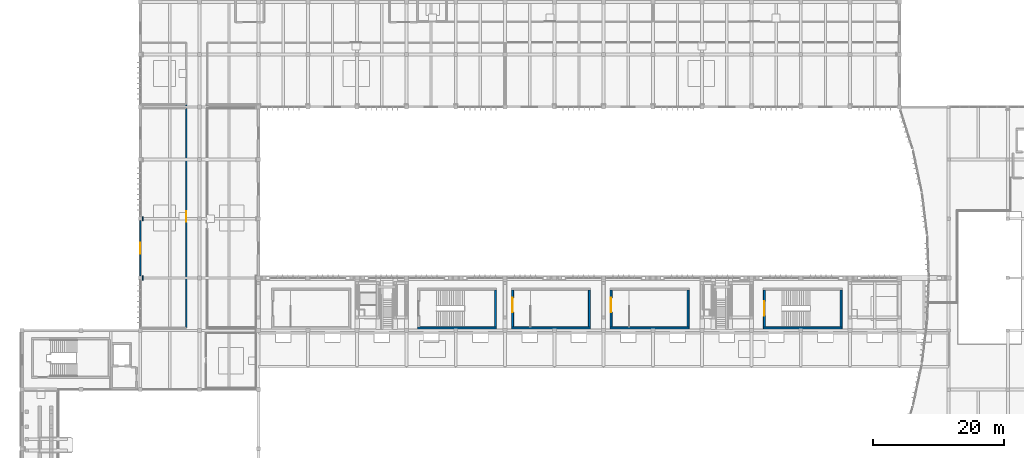
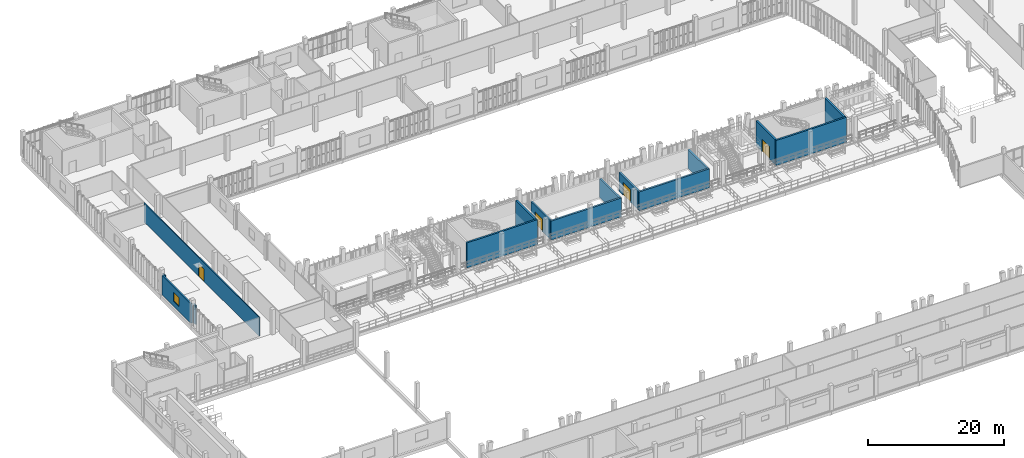
# One storey, part 54 of 81: 15 walls, 4 doors, 1 window, 5 openings.
"""IFC4 building model written with IfcOpenShell, lengths in metres."""

from ifc_helpers import new_model, si_unit, direction, frame, frame_2d, origin, place, context, subcontext, project, spatial, rectangle, extrude, material, layer, layer_set, type_object, element, fill, save


model = new_model("IFC4")

# Units and contexts
model_context = context("Model", 3, precision=1e-05, world=origin(), true_north=direction((0.0, 1.0)))
body_context = subcontext(model_context, "Body", "Model", "MODEL_VIEW")
ifc_project = project(units=[si_unit("LENGTHUNIT", "METRE"), si_unit("AREAUNIT", "SQUARE_METRE"), si_unit("VOLUMEUNIT", "CUBIC_METRE"), si_unit("PLANEANGLEUNIT", "RADIAN"), si_unit("MASSUNIT", "GRAM", prefix="KILO")], contexts=[model_context])

# Site, building, storey
site_placement = place(None, origin())
site = spatial("IfcSite", under=ifc_project, at=site_placement, CompositionType="ELEMENT")
building_placement = place(site_placement, origin())
building = spatial("IfcBuilding", under=site, at=building_placement, Name="Vourika Railside Aquatics Centre", CompositionType="ELEMENT")
storey_placement = place(building_placement, frame((0.0, 0.0, 4.800048828125)))
storey = spatial("IfcBuildingStorey", under=building, at=storey_placement, Name="L01", CompositionType="ELEMENT", Elevation=4.800048828125)

# Walls
ifc_material_1 = material(Name="Concrete C40/50", Category="concrete")
ifc_layer_1 = layer(ifc_material_1, 0.300048828125, Name="WL-CORE")
ifc_layer_set_1 = layer_set([ifc_layer_1], Name="Concrete C40/50")
wall_type_1 = type_object("IfcWallType", Name="WL-CORE", PredefinedType="SHEAR", material=ifc_layer_set_1)
wall_1_placement = place(storey_placement, frame((60.199951171875, 58.39990234375, 0.0), z_axis=(0.0, 0.0, 1.0), x_axis=(1.0, 0.0, 0.0)))
element("IfcWall", 1, at=wall_1_placement, inside=storey, type_object=wall_type_1, Name="Grandstand Vomitory Exit Stair ST08 South Wall (L01)", PredefinedType="SHEAR", context=body_context, shape_type="SweptSolid", body=[
    extrude(rectangle(XDim=12.0, YDim=0.300048828125, at=frame_2d((6.0, 0.0))), origin(), (0.0, 0.0, 1.0), 4.5),
])
wall_2_placement = place(storey_placement, frame((72.050048828125, 58.550048828125, 0.0), z_axis=(0.0, 0.0, 1.0), x_axis=(0.0, 1.0, 0.0)))
element("IfcWall", 2, at=wall_2_placement, inside=storey, type_object=wall_type_1, Name="Grandstand Vomitory Exit Stair ST08 East Wall (L01)", PredefinedType="SHEAR", context=body_context, shape_type="SweptSolid", body=[
    extrude(rectangle(XDim=5.599853515625, YDim=0.300048828125, at=frame_2d((2.7998046875, 0.0))), origin(), (0.0, 0.0, 1.0), 4.5),
])
wall_3_placement = place(storey_placement, frame((89.5, 58.39990234375, 0.0), z_axis=(0.0, 0.0, 1.0), x_axis=(1.0, 0.0, 0.0)))
element("IfcWall", 3, at=wall_3_placement, inside=storey, type_object=wall_type_1, Name="Grandstand Vomitory Exit Stair ST09 South Wall (L01)", PredefinedType="SHEAR", context=body_context, shape_type="SweptSolid", body=[
    extrude(rectangle(XDim=12.0, YDim=0.300048828125, at=frame_2d((6.0, 0.0))), origin(), (0.0, 0.0, 1.0), 3.39990234375),
])

# Wall, opening, door
wall_4_placement = place(storey_placement, frame((89.64990234375, 64.14990234375, 0.0), z_axis=(0.0, 0.0, 1.0), x_axis=(0.0, -1.0, 0.0)))
wall_4 = element("IfcWall", 4, at=wall_4_placement, inside=storey, type_object=wall_type_1, Name="Grandstand Vomitory Exit Stair ST09 West Wall (L01)", PredefinedType="SHEAR", context=body_context, shape_type="SweptSolid", body=[
    extrude(rectangle(XDim=5.599853515625, YDim=0.300048828125, at=frame_2d((2.7998046875, 0.0))), origin(), (0.0, 0.0, 1.0), 3.39990234375),
])
opening_1_placement = place(wall_4_placement, frame((1.14990234375, 0.0, 0.0)))
opening_1 = element("IfcOpeningElement", 5, at=opening_1_placement, cuts=wall_4, Name="Opening DF04", PredefinedType="OPENING", context=body_context, shape_type="SweptSolid", body=[
    extrude(rectangle(XDim=2.199951171875, YDim=2.25, at=frame_2d((1.10009765625, 1.125))), frame((0.0, 0.16015625, 0.0), z_axis=(0.0, -1.0, 0.0), x_axis=(1.0, 0.0, 0.0)), (0.0, 0.0, 1.0), 0.320068359375),
])
ifc_material_2 = material(Name="Fire-rated vomitory concourse double door")
door_type_1 = type_object("IfcDoorType", Name="DR-FD60D-220", OperationType="DOUBLE_DOOR_SINGLE_SWING", PredefinedType="DOOR", material=ifc_material_2)
door_1_placement = place(opening_1_placement, origin())
door_1 = element("IfcDoor", 6, at=door_1_placement, inside=storey, type_object=door_type_1, Name="Grandstand Vomitory Exit Stair ST09 Vomitory Portal Door (L01)", OperationType="DOUBLE_DOOR_SINGLE_SWING", OverallHeight=2.25, OverallWidth=2.199951171875, PredefinedType="DOOR", context=body_context, shape_type="SweptSolid", body=[
    extrude(rectangle(XDim=2.199951171875, YDim=2.25, at=frame_2d((1.10009765625, 1.125))), frame((0.0, 0.02490234375, 0.0), z_axis=(0.0, -1.0, 0.0), x_axis=(1.0, 0.0, 0.0)), (0.0, 0.0, 1.0), 0.050048828125),
])
fill(opening_1, door_1)

# Walls
wall_5_placement = place(storey_placement, frame((101.35009765625, 58.550048828125, 0.0), z_axis=(0.0, 0.0, 1.0), x_axis=(0.0, 1.0, 0.0)))
element("IfcWall", 7, at=wall_5_placement, inside=storey, type_object=wall_type_1, Name="Grandstand Vomitory Exit Stair ST09 East Wall (L01)", PredefinedType="SHEAR", context=body_context, shape_type="SweptSolid", body=[
    extrude(rectangle(XDim=5.599853515625, YDim=0.300048828125, at=frame_2d((2.7998046875, 0.0))), origin(), (0.0, 0.0, 1.0), 3.39990234375),
])
wall_6_placement = place(storey_placement, frame((112.800048828125, 58.39990234375, 0.0), z_axis=(0.0, 0.0, 1.0), x_axis=(1.0, 0.0, 0.0)))
element("IfcWall", 8, at=wall_6_placement, inside=storey, type_object=wall_type_1, Name="Grandstand Vomitory Exit Stair ST10 South Wall (L01)", PredefinedType="SHEAR", context=body_context, shape_type="SweptSolid", body=[
    extrude(rectangle(XDim=12.0, YDim=0.300048828125, at=frame_2d((6.0, 0.0))), origin(), (0.0, 0.0, 1.0), 4.5),
])

# Wall, opening, door
wall_7_placement = place(storey_placement, frame((112.949951171875, 64.14990234375, 0.0), z_axis=(0.0, 0.0, 1.0), x_axis=(0.0, -1.0, 0.0)))
wall_7 = element("IfcWall", 9, at=wall_7_placement, inside=storey, type_object=wall_type_1, Name="Grandstand Vomitory Exit Stair ST10 West Wall (L01)", PredefinedType="SHEAR", context=body_context, shape_type="SweptSolid", body=[
    extrude(rectangle(XDim=5.599853515625, YDim=0.300048828125, at=frame_2d((2.7998046875, 0.0))), origin(), (0.0, 0.0, 1.0), 4.5),
])
opening_2_placement = place(wall_7_placement, frame((1.699951171875, 0.0, 0.0)))
opening_2 = element("IfcOpeningElement", 10, at=opening_2_placement, cuts=wall_7, Name="Opening DF04", PredefinedType="OPENING", context=body_context, shape_type="SweptSolid", body=[
    extrude(rectangle(XDim=2.199951171875, YDim=2.25, at=frame_2d((1.10009765625, 1.125))), frame((0.0, 0.16015625, 0.0), z_axis=(0.0, -1.0, 0.0), x_axis=(1.0, 0.0, 0.0)), (0.0, 0.0, 1.0), 0.320068359375),
])
door_2_placement = place(opening_2_placement, origin())
door_2 = element("IfcDoor", 11, at=door_2_placement, inside=storey, type_object=door_type_1, Name="Grandstand Vomitory Exit Stair ST10 Vomitory Portal Door (L01)", OperationType="DOUBLE_DOOR_SINGLE_SWING", OverallHeight=2.25, OverallWidth=2.199951171875, PredefinedType="DOOR", context=body_context, shape_type="SweptSolid", body=[
    extrude(rectangle(XDim=2.199951171875, YDim=2.25, at=frame_2d((1.10009765625, 1.125))), frame((0.0, 0.02490234375, 0.0), z_axis=(0.0, -1.0, 0.0), x_axis=(1.0, 0.0, 0.0)), (0.0, 0.0, 1.0), 0.050048828125),
])
fill(opening_2, door_2)

# Walls
wall_8_placement = place(storey_placement, frame((124.64990234375, 58.550048828125, 0.0), z_axis=(0.0, 0.0, 1.0), x_axis=(0.0, 1.0, 0.0)))
element("IfcWall", 12, at=wall_8_placement, inside=storey, type_object=wall_type_1, Name="Grandstand Vomitory Exit Stair ST10 East Wall (L01)", PredefinedType="SHEAR", context=body_context, shape_type="SweptSolid", body=[
    extrude(rectangle(XDim=5.599853515625, YDim=0.300048828125, at=frame_2d((2.7998046875, 0.0))), origin(), (0.0, 0.0, 1.0), 4.5),
])
wall_9_placement = place(storey_placement, frame((74.5, 58.39990234375, 0.0), z_axis=(0.0, 0.0, 1.0), x_axis=(1.0, 0.0, 0.0)))
element("IfcWall", 13, at=wall_9_placement, inside=storey, type_object=wall_type_1, Name="Grandstand Vomitory Exit Stair ST12 South Wall (L01)", PredefinedType="SHEAR", context=body_context, shape_type="SweptSolid", body=[
    extrude(rectangle(XDim=12.0, YDim=0.300048828125, at=frame_2d((6.0, 0.0))), origin(), (0.0, 0.0, 1.0), 3.39990234375),
])

# Wall, opening, door
wall_10_placement = place(storey_placement, frame((74.64990234375, 64.14990234375, 0.0), z_axis=(0.0, 0.0, 1.0), x_axis=(0.0, -1.0, 0.0)))
wall_10 = element("IfcWall", 14, at=wall_10_placement, inside=storey, type_object=wall_type_1, Name="Grandstand Vomitory Exit Stair ST12 West Wall (L01)", PredefinedType="SHEAR", context=body_context, shape_type="SweptSolid", body=[
    extrude(rectangle(XDim=5.599853515625, YDim=0.300048828125, at=frame_2d((2.7998046875, 0.0))), origin(), (0.0, 0.0, 1.0), 3.39990234375),
])
opening_3_placement = place(wall_10_placement, frame((1.14990234375, 0.0, 0.0)))
opening_3 = element("IfcOpeningElement", 15, at=opening_3_placement, cuts=wall_10, Name="Opening DF04", PredefinedType="OPENING", context=body_context, shape_type="SweptSolid", body=[
    extrude(rectangle(XDim=2.199951171875, YDim=2.25, at=frame_2d((1.10009765625, 1.125))), frame((0.0, 0.16015625, 0.0), z_axis=(0.0, -1.0, 0.0), x_axis=(1.0, 0.0, 0.0)), (0.0, 0.0, 1.0), 0.320068359375),
])
door_3_placement = place(opening_3_placement, origin())
door_3 = element("IfcDoor", 16, at=door_3_placement, inside=storey, type_object=door_type_1, Name="Grandstand Vomitory Exit Stair ST12 Vomitory Portal Door (L01)", OperationType="DOUBLE_DOOR_SINGLE_SWING", OverallHeight=2.25, OverallWidth=2.199951171875, PredefinedType="DOOR", context=body_context, shape_type="SweptSolid", body=[
    extrude(rectangle(XDim=2.199951171875, YDim=2.25, at=frame_2d((1.10009765625, 1.125))), frame((0.0, 0.02490234375, 0.0), z_axis=(0.0, -1.0, 0.0), x_axis=(1.0, 0.0, 0.0)), (0.0, 0.0, 1.0), 0.050048828125),
])
fill(opening_3, door_3)

# Wall
wall_11_placement = place(storey_placement, frame((86.35009765625, 58.550048828125, 0.0), z_axis=(0.0, 0.0, 1.0), x_axis=(0.0, 1.0, 0.0)))
element("IfcWall", 17, at=wall_11_placement, inside=storey, type_object=wall_type_1, Name="Grandstand Vomitory Exit Stair ST12 East Wall (L01)", PredefinedType="SHEAR", context=body_context, shape_type="SweptSolid", body=[
    extrude(rectangle(XDim=5.599853515625, YDim=0.300048828125, at=frame_2d((2.7998046875, 0.0))), origin(), (0.0, 0.0, 1.0), 3.39990234375),
])

# Wall, opening, window
ifc_material_3 = material(Name="Precast concrete C40/50", Category="concrete")
ifc_layer_2 = layer(ifc_material_3, 0.2900390625, Name="WL-EXT-290")
ifc_layer_set_2 = layer_set([ifc_layer_2], Name="Precast concrete C40/50")
wall_type_2 = type_object("IfcWallType", Name="WL-EXT-290", PredefinedType="SOLIDWALL", material=ifc_layer_set_2)
wall_12_placement = place(storey_placement, frame((18.0, 74.699951171875, 0.0), z_axis=(0.0, 0.0, 1.0), x_axis=(0.0, -1.0, 0.0)))
wall_12 = element("IfcWall", 18, at=wall_12_placement, inside=storey, type_object=wall_type_2, Name="Fitness West Precast Wall L01-2", PredefinedType="SOLIDWALL", context=body_context, shape_type="SweptSolid", body=[
    extrude(rectangle(XDim=8.39990234375, YDim=0.2900390625, at=frame_2d((4.199951171875, 0.0))), origin(), (0.0, 0.0, 1.0), 3.5),
])
opening_4_placement = place(wall_12_placement, frame((3.35009765625, 0.0, 0.949951171875)))
opening_4 = element("IfcOpeningElement", 19, at=opening_4_placement, cuts=wall_12, Name="Opening W11", PredefinedType="OPENING", context=body_context, shape_type="SweptSolid", body=[
    extrude(rectangle(XDim=1.699951171875, YDim=1.550048828125, at=frame_2d((0.85009765625, 0.77490234375))), frame((0.0, 0.155029296875, 0.0), z_axis=(0.0, -1.0, 0.0), x_axis=(1.0, 0.0, 0.0)), (0.0, 0.0, 1.0), 0.31005859375),
])
ifc_material_4 = material(Name="Laminated solar-control glass", Category="glass")
window_type = type_object("IfcWindowType", Name="WN-LAB-170x155", PartitioningType="SINGLE_PANEL", PredefinedType="WINDOW", material=ifc_material_4)
window_placement = place(opening_4_placement, origin())
window = element("IfcWindow", 20, at=window_placement, inside=storey, type_object=window_type, Name="Fitness West Window L01-2", OverallHeight=1.550048828125, OverallWidth=1.699951171875, PartitioningType="SINGLE_PANEL", PredefinedType="WINDOW", context=body_context, shape_type="SweptSolid", body=[
    extrude(rectangle(XDim=1.699951171875, YDim=1.550048828125, at=frame_2d((0.85009765625, 0.77490234375))), frame((0.0, 0.030029296875, 0.0), z_axis=(0.0, -1.0, 0.0), x_axis=(1.0, 0.0, 0.0)), (0.0, 0.0, 1.0), 0.06005859375),
])
fill(opening_4, window)

# Wall, opening, door
ifc_material_5 = material(Name="Acoustic twin-stud partition")
ifc_layer_3 = layer(ifc_material_5, 0.159912109375, Name="WL-PART-160")
ifc_layer_set_3 = layer_set([ifc_layer_3], Name="Acoustic twin-stud partition")
wall_type_3 = type_object("IfcWallType", Name="WL-PART-160", PredefinedType="PARTITIONING", material=ifc_layer_set_3)
wall_13_placement = place(storey_placement, frame((25.0, 92.340087890625, 0.0), z_axis=(0.0, 0.0, 1.0), x_axis=(0.0, -1.0, 0.0)))
wall_13 = element("IfcWall", 21, at=wall_13_placement, inside=storey, type_object=wall_type_3, Name="Pilates and Trunk Mobility Studio Partition 1", PredefinedType="PARTITIONING", context=body_context, shape_type="SweptSolid", body=[
    extrude(rectangle(XDim=33.940185546875, YDim=0.159912109375, at=frame_2d((16.97021484375, 0.0))), origin(), (0.0, 0.0, 1.0), 3.39990234375),
])
opening_5_placement = place(wall_13_placement, frame((16.169921875, 0.0, 0.0)))
opening_5 = element("IfcOpeningElement", 22, at=opening_5_placement, cuts=wall_13, Name="Opening DI04", PredefinedType="OPENING", context=body_context, shape_type="SweptSolid", body=[
    extrude(rectangle(XDim=1.60009765625, YDim=2.199951171875, at=frame_2d((0.800048828125, 1.10009765625))), frame((0.0, 0.08984375, 0.0), z_axis=(0.0, -1.0, 0.0), x_axis=(1.0, 0.0, 0.0)), (0.0, 0.0, 1.0), 0.179931640625),
])
ifc_material_6 = material(Name="Double studio entrance door")
door_type_2 = type_object("IfcDoorType", Name="DR-INT-1600D", OperationType="DOUBLE_DOOR_SINGLE_SWING", PredefinedType="DOOR", material=ifc_material_6)
door_4_placement = place(opening_5_placement, origin())
door_4 = element("IfcDoor", 23, at=door_4_placement, inside=storey, type_object=door_type_2, Name="Pilates and Trunk Mobility Studio Door", OperationType="DOUBLE_DOOR_SINGLE_SWING", OverallHeight=2.199951171875, OverallWidth=1.60009765625, PredefinedType="DOOR", context=body_context, shape_type="SweptSolid", body=[
    extrude(rectangle(XDim=1.60009765625, YDim=2.199951171875, at=frame_2d((0.800048828125, 1.10009765625))), frame((0.0, 0.02490234375, 0.0), z_axis=(0.0, -1.0, 0.0), x_axis=(1.0, 0.0, 0.0)), (0.0, 0.0, 1.0), 0.050048828125),
])
fill(opening_5, door_4)

# Walls
for number, where, z_axis, x_axis, name in (
    (24, (18.39990234375, 65.669921875, 0.0), (0.0, 0.0, 1.0), (0.0, 1.0, 0.0), "Pilates and Trunk Mobility Studio Partition 4"),
    (25, (18.39990234375, 74.699951171875, 0.0), (0.0, 0.0, 1.0), (0.0, 1.0, 0.0), "Pilates and Trunk Mobility Studio Partition 5"),
):
    element("IfcWall", number, at=place(storey_placement, frame(where, z_axis=z_axis, x_axis=x_axis)), inside=storey, type_object=wall_type_3, Name=name, PredefinedType="PARTITIONING", context=body_context, shape_type="SweptSolid", body=[
        extrude(rectangle(XDim=0.630126953125, YDim=0.159912109375, at=frame_2d((0.31494140625, 0.0))), origin(), (0.0, 0.0, 1.0), 3.39990234375),
    ])

save(model, "model.ifc")
